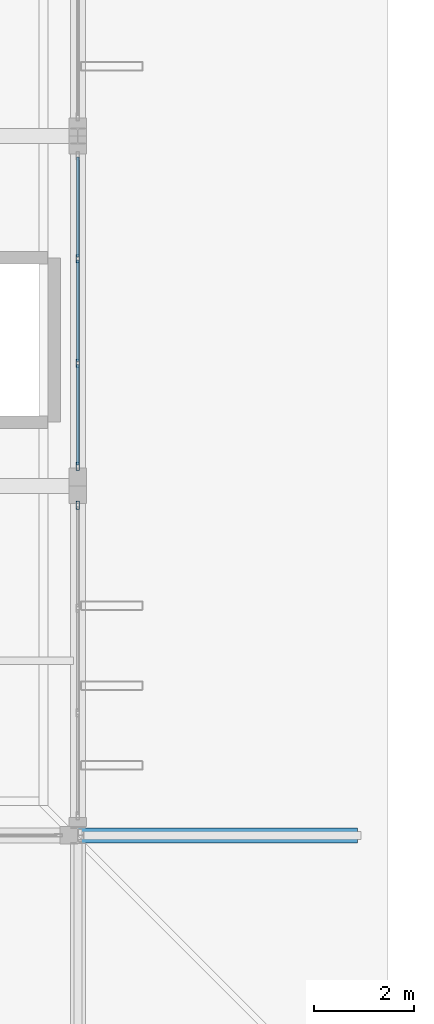
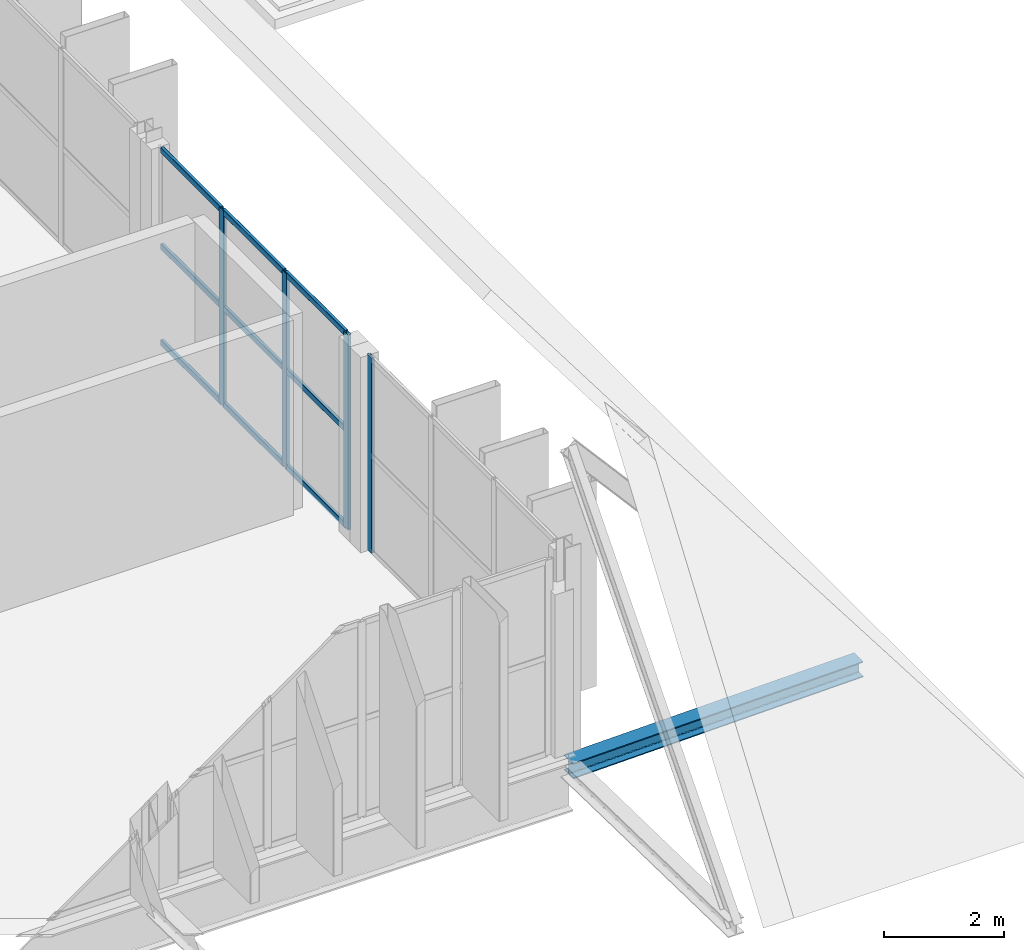
# One storey, part 40 of 93: 13 members, 1 beam, 2 elements without a shape of their own.
"""IFC4 building model written with IfcOpenShell, lengths in metres."""

from ifc_helpers import new_model, si_unit, direction, frame, origin, origin_2d, place, context, subcontext, project, spatial, hollow_rectangle, i_section, extrude, material, layer, layer_set, material_profile, profile_set, type_object, element, aggregate, save


model = new_model("IFC4")

# Units and contexts
model_context = context("Model", 3, precision=1e-05, world=origin(), true_north=direction((0.0, 1.0)))
body_context = subcontext(model_context, "Body", "Model", "MODEL_VIEW")
ifc_project = project(units=[si_unit("LENGTHUNIT", "METRE"), si_unit("AREAUNIT", "SQUARE_METRE"), si_unit("VOLUMEUNIT", "CUBIC_METRE"), si_unit("PLANEANGLEUNIT", "RADIAN"), si_unit("MASSUNIT", "GRAM", prefix="KILO")], contexts=[model_context])

# Site, building, storey
site_placement = place(None, origin())
site = spatial("IfcSite", under=ifc_project, at=site_placement, CompositionType="ELEMENT")
building_placement = place(site_placement, origin())
building = spatial("IfcBuilding", under=site, at=building_placement, Name="Vekula Escarpment Museum", CompositionType="ELEMENT")
storey_placement = place(building_placement, frame((0.0, 0.0, 22.199951171875)))
storey = spatial("IfcBuildingStorey", under=building, at=storey_placement, Name="L05", CompositionType="ELEMENT", Elevation=22.199951171875)

# Beam
ifc_material_1 = material(Name="Steel S355", Category="steel")
ifc_material_profile_1 = material_profile(ifc_material_1, i_section(OverallWidth=0.300048828125, OverallDepth=0.320068359375, WebThickness=0.011474609375, FlangeThickness=0.0205078125, FilletRadius=0.027099609375, at=origin_2d()), Name="HEB 320")
ifc_profile_set_1 = profile_set([ifc_material_profile_1], Name="Steel S355")
beam_type = type_object("IfcBeamType", Name="BM-EAVE-OUT", PredefinedType="BEAM", material=ifc_profile_set_1)
beam_placement = place(storey_placement, frame((126.0, 45.60009765625, -0.39990234375), z_axis=(0.999770980386, 0.0, 0.021400625659), x_axis=(0.0, 1.0, 0.0)))
element("IfcBeam", 1, at=beam_placement, inside=storey, type_object=beam_type, Name="Great Hall East Eave Outrigger 45", PredefinedType="BEAM", context=body_context, shape_type="SweptSolid", body=[
    extrude(i_section(OverallWidth=0.300048828125, OverallDepth=0.320068359375, WebThickness=0.011474609375, FlangeThickness=0.0205078125, FilletRadius=0.027099609375, at=origin_2d()), origin(), (0.0, 0.0, 1.0), 5.601318359375),
])

# Curtain wall, member
ifc_material_2 = material(Name="Aluminium thermally broken framing", Category="aluminium")
ifc_layer_1 = layer(ifc_material_2, 0.169921875)
ifc_layer_set_1 = layer_set([ifc_layer_1], Name="Aluminium thermally broken framing")
curtain_wall_type_1 = type_object("IfcCurtainWallType", Name="CW-SYS-10", PredefinedType="NOTDEFINED", material=ifc_layer_set_1)
curtain_wall_1_placement = place(storey_placement, origin())
curtain_wall_1 = element("IfcCurtainWall", 2, at=curtain_wall_1_placement, inside=storey, type_object=curtain_wall_type_1, Name="Curtain Wall CW-L05-170", PredefinedType="NOTDEFINED")
ifc_material_3 = material(Name="Aluminium anodized mullion", Category="aluminium")
ifc_material_profile_2 = material_profile(ifc_material_3, hollow_rectangle(XDim=0.06005859375, YDim=0.159912109375, WallThickness=0.00390625, InnerFilletRadius=0.00390625, OuterFilletRadius=0.008056640625, at=origin_2d()), Name="ALU 160x60x4")
ifc_profile_set_2 = profile_set([ifc_material_profile_2], Name="Aluminium anodized mullion")
member_type_1 = type_object("IfcMemberType", Name="CW-MUL-160", PredefinedType="MULLION", material=ifc_profile_set_2)
member_1_placement = place(storey_placement, frame((126.0, 52.2099609375, 0.0), z_axis=(0.0, 0.0, 1.0), x_axis=(-1.0, 0.0, 0.0)))
member_1 = element("IfcMember", 3, at=member_1_placement, type_object=member_type_1, Name="CW-10 mullion 4", PredefinedType="MULLION", context=body_context, shape_type="SweptSolid", body=[
    extrude(hollow_rectangle(XDim=0.06005859375, YDim=0.159912109375, WallThickness=0.00390625, InnerFilletRadius=0.00390625, OuterFilletRadius=0.008056640625, at=origin_2d()), origin(), (0.0, 0.0, 1.0), 3.97998046875),
])
aggregate(curtain_wall_1, [member_1])

# Curtain wall, members
ifc_material_4 = material(Name="Aluminium thermally broken framing", Category="aluminium")
ifc_layer_2 = layer(ifc_material_4, 0.159912109375)
ifc_layer_set_2 = layer_set([ifc_layer_2], Name="Aluminium thermally broken framing")
curtain_wall_type_2 = type_object("IfcCurtainWallType", Name="CW-SYS-01", PredefinedType="NOTDEFINED", material=ifc_layer_set_2)
curtain_wall_2_placement = place(storey_placement, origin())
curtain_wall_2 = element("IfcCurtainWall", 4, at=curtain_wall_2_placement, inside=storey, type_object=curtain_wall_type_2, Name="Curtain Wall CW-L05-171", PredefinedType="NOTDEFINED")
member_2_placement = place(storey_placement, frame((126.0, 52.989990234375, 0.0), z_axis=(0.0, 0.0, 1.0), x_axis=(-1.0, 0.0, 0.0)))
member_2 = element("IfcMember", 5, at=member_2_placement, type_object=member_type_1, Name="CW-01 mullion 1", PredefinedType="MULLION", context=body_context, shape_type="SweptSolid", body=[
    extrude(hollow_rectangle(XDim=0.06005859375, YDim=0.159912109375, WallThickness=0.00390625, InnerFilletRadius=0.00390625, OuterFilletRadius=0.008056640625, at=origin_2d()), origin(), (0.0, 0.0, 1.0), 3.97998046875),
])
member_3_placement = place(storey_placement, frame((126.0, 55.05322265625, 0.0), z_axis=(0.0, 0.0, 1.0), x_axis=(-1.0, 0.0, 0.0)))
member_3 = element("IfcMember", 6, at=member_3_placement, type_object=member_type_1, Name="CW-01 mullion 2", PredefinedType="MULLION", context=body_context, shape_type="SweptSolid", body=[
    extrude(hollow_rectangle(XDim=0.06005859375, YDim=0.159912109375, WallThickness=0.00390625, InnerFilletRadius=0.00390625, OuterFilletRadius=0.008056640625, at=origin_2d()), origin(), (0.0, 0.0, 1.0), 3.97998046875),
])
member_4_placement = place(storey_placement, frame((126.0, 57.146728515625, 0.0), z_axis=(0.0, 0.0, 1.0), x_axis=(-1.0, 0.0, 0.0)))
member_4 = element("IfcMember", 7, at=member_4_placement, type_object=member_type_1, Name="CW-01 mullion 3", PredefinedType="MULLION", context=body_context, shape_type="SweptSolid", body=[
    extrude(hollow_rectangle(XDim=0.06005859375, YDim=0.159912109375, WallThickness=0.00390625, InnerFilletRadius=0.00390625, OuterFilletRadius=0.008056640625, at=origin_2d()), origin(), (0.0, 0.0, 1.0), 3.97998046875),
])
ifc_material_5 = material(Name="Aluminium anodized transom", Category="aluminium")
ifc_material_profile_3 = material_profile(ifc_material_5, hollow_rectangle(XDim=0.06005859375, YDim=0.1201171875, WallThickness=0.00390625, InnerFilletRadius=0.00390625, OuterFilletRadius=0.008056640625, at=origin_2d()), Name="ALU 120x60x4")
ifc_profile_set_3 = profile_set([ifc_material_profile_3], Name="Aluminium anodized transom")
member_type_2 = type_object("IfcMemberType", Name="CW-TRN-120", PredefinedType="USERDEFINED", material=ifc_profile_set_3)
member_5_placement = place(storey_placement, frame((126.0, 53.02001953125, 0.030029296875), z_axis=(0.0, 1.0, 0.0), x_axis=(-1.0, 0.0, 0.0)))
member_5 = element("IfcMember", 8, at=member_5_placement, type_object=member_type_2, Name="CW-01 transom 1.1", ObjectType="TRANSOM", PredefinedType="USERDEFINED", context=body_context, shape_type="SweptSolid", body=[
    extrude(hollow_rectangle(XDim=0.06005859375, YDim=0.1201171875, WallThickness=0.00390625, InnerFilletRadius=0.00390625, OuterFilletRadius=0.008056640625, at=origin_2d()), origin(), (0.0, 0.0, 1.0), 2.00341796875),
])
member_6_placement = place(storey_placement, frame((126.0, 53.02001953125, 1.989990234375), z_axis=(0.0, 1.0, 0.0), x_axis=(-1.0, 0.0, 0.0)))
member_6 = element("IfcMember", 9, at=member_6_placement, type_object=member_type_2, Name="CW-01 transom 1.2", ObjectType="TRANSOM", PredefinedType="USERDEFINED", context=body_context, shape_type="SweptSolid", body=[
    extrude(hollow_rectangle(XDim=0.06005859375, YDim=0.1201171875, WallThickness=0.00390625, InnerFilletRadius=0.00390625, OuterFilletRadius=0.008056640625, at=origin_2d()), origin(), (0.0, 0.0, 1.0), 2.00341796875),
])
member_7_placement = place(storey_placement, frame((126.0, 53.02001953125, 3.949951171875), z_axis=(0.0, 1.0, 0.0), x_axis=(-1.0, 0.0, 0.0)))
member_7 = element("IfcMember", 10, at=member_7_placement, type_object=member_type_2, Name="CW-01 transom 1.3", ObjectType="TRANSOM", PredefinedType="USERDEFINED", context=body_context, shape_type="SweptSolid", body=[
    extrude(hollow_rectangle(XDim=0.06005859375, YDim=0.1201171875, WallThickness=0.00390625, InnerFilletRadius=0.00390625, OuterFilletRadius=0.008056640625, at=origin_2d()), origin(), (0.0, 0.0, 1.0), 2.00341796875),
])
member_8_placement = place(storey_placement, frame((126.0, 55.083251953125, 0.030029296875), z_axis=(0.0, 1.0, 0.0), x_axis=(-1.0, 0.0, 0.0)))
member_8 = element("IfcMember", 11, at=member_8_placement, type_object=member_type_2, Name="CW-01 transom 2.1", ObjectType="TRANSOM", PredefinedType="USERDEFINED", context=body_context, shape_type="SweptSolid", body=[
    extrude(hollow_rectangle(XDim=0.06005859375, YDim=0.1201171875, WallThickness=0.00390625, InnerFilletRadius=0.00390625, OuterFilletRadius=0.008056640625, at=origin_2d()), origin(), (0.0, 0.0, 1.0), 2.033447265625),
])
member_9_placement = place(storey_placement, frame((126.0, 55.083251953125, 1.989990234375), z_axis=(0.0, 1.0, 0.0), x_axis=(-1.0, 0.0, 0.0)))
member_9 = element("IfcMember", 12, at=member_9_placement, type_object=member_type_2, Name="CW-01 transom 2.2", ObjectType="TRANSOM", PredefinedType="USERDEFINED", context=body_context, shape_type="SweptSolid", body=[
    extrude(hollow_rectangle(XDim=0.06005859375, YDim=0.1201171875, WallThickness=0.00390625, InnerFilletRadius=0.00390625, OuterFilletRadius=0.008056640625, at=origin_2d()), origin(), (0.0, 0.0, 1.0), 2.033447265625),
])
member_10_placement = place(storey_placement, frame((126.0, 55.083251953125, 3.949951171875), z_axis=(0.0, 1.0, 0.0), x_axis=(-1.0, 0.0, 0.0)))
member_10 = element("IfcMember", 13, at=member_10_placement, type_object=member_type_2, Name="CW-01 transom 2.3", ObjectType="TRANSOM", PredefinedType="USERDEFINED", context=body_context, shape_type="SweptSolid", body=[
    extrude(hollow_rectangle(XDim=0.06005859375, YDim=0.1201171875, WallThickness=0.00390625, InnerFilletRadius=0.00390625, OuterFilletRadius=0.008056640625, at=origin_2d()), origin(), (0.0, 0.0, 1.0), 2.033447265625),
])
member_11_placement = place(storey_placement, frame((126.0, 57.1767578125, 0.030029296875), z_axis=(0.0, 1.0, 0.0), x_axis=(-1.0, 0.0, 0.0)))
member_11 = element("IfcMember", 14, at=member_11_placement, type_object=member_type_2, Name="CW-01 transom 3.1", ObjectType="TRANSOM", PredefinedType="USERDEFINED", context=body_context, shape_type="SweptSolid", body=[
    extrude(hollow_rectangle(XDim=0.06005859375, YDim=0.1201171875, WallThickness=0.00390625, InnerFilletRadius=0.00390625, OuterFilletRadius=0.008056640625, at=origin_2d()), origin(), (0.0, 0.0, 1.0), 2.003173828125),
])
member_12_placement = place(storey_placement, frame((126.0, 57.1767578125, 1.989990234375), z_axis=(0.0, 1.0, 0.0), x_axis=(-1.0, 0.0, 0.0)))
member_12 = element("IfcMember", 15, at=member_12_placement, type_object=member_type_2, Name="CW-01 transom 3.2", ObjectType="TRANSOM", PredefinedType="USERDEFINED", context=body_context, shape_type="SweptSolid", body=[
    extrude(hollow_rectangle(XDim=0.06005859375, YDim=0.1201171875, WallThickness=0.00390625, InnerFilletRadius=0.00390625, OuterFilletRadius=0.008056640625, at=origin_2d()), origin(), (0.0, 0.0, 1.0), 2.003173828125),
])
member_13_placement = place(storey_placement, frame((126.0, 57.1767578125, 3.949951171875), z_axis=(0.0, 1.0, 0.0), x_axis=(-1.0, 0.0, 0.0)))
member_13 = element("IfcMember", 16, at=member_13_placement, type_object=member_type_2, Name="CW-01 transom 3.3", ObjectType="TRANSOM", PredefinedType="USERDEFINED", context=body_context, shape_type="SweptSolid", body=[
    extrude(hollow_rectangle(XDim=0.06005859375, YDim=0.1201171875, WallThickness=0.00390625, InnerFilletRadius=0.00390625, OuterFilletRadius=0.008056640625, at=origin_2d()), origin(), (0.0, 0.0, 1.0), 2.003173828125),
])
aggregate(curtain_wall_2, [member_2, member_3, member_4, member_5, member_6, member_7, member_8, member_9, member_10, member_11, member_12, member_13])

save(model, "model.ifc")
